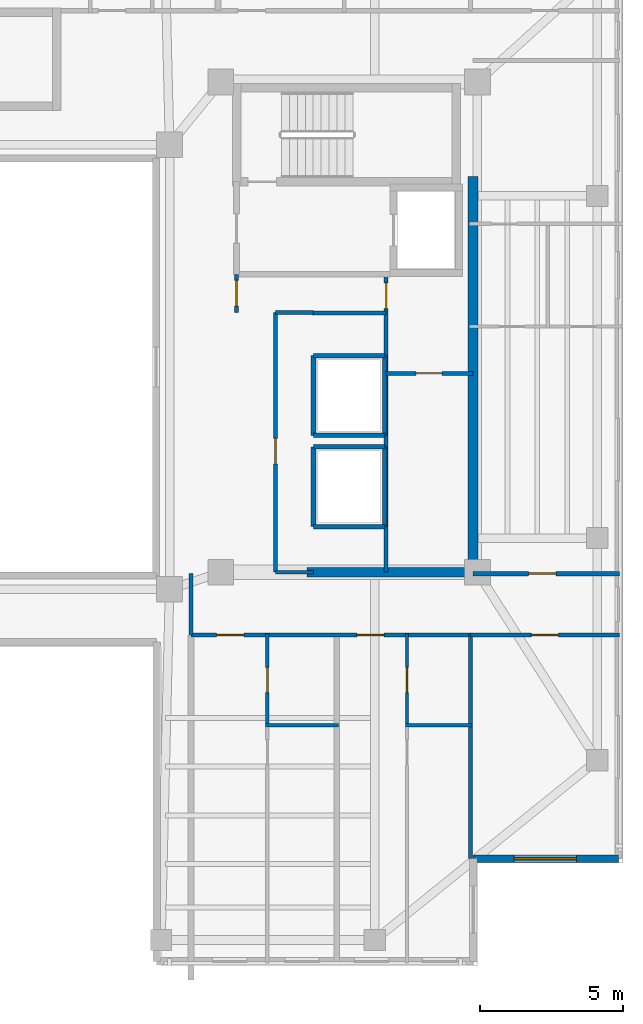
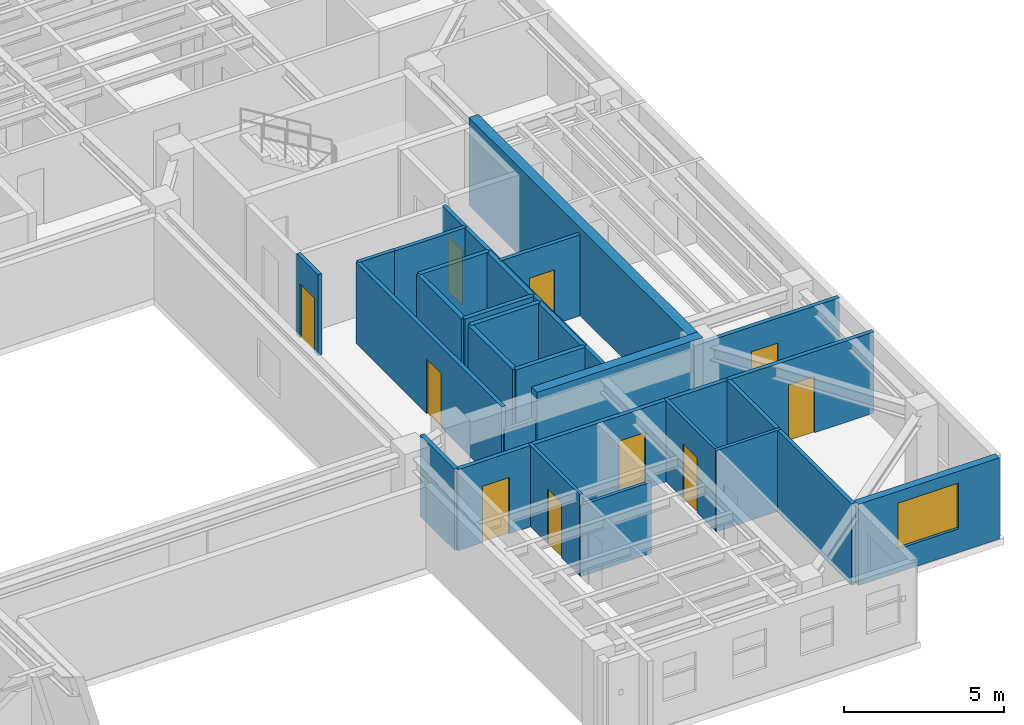
# One storey, part 6 of 12: 27 walls, 10 doors, 1 window, 11 openings.
"""IFC4 building model written with IfcOpenShell, lengths in metres."""

from ifc_helpers import new_model, si_unit, direction, frame, frame_2d, origin, place, context, subcontext, project, spatial, rectangle, extrude, material, layer, layer_set, type_object, element, fill, save


model = new_model("IFC4")

# Units and contexts
model_context = context("Model", 3, precision=1e-05, world=origin(), true_north=direction((0.0, 1.0)))
body_context = subcontext(model_context, "Body", "Model", "MODEL_VIEW")
ifc_project = project(units=[si_unit("LENGTHUNIT", "METRE"), si_unit("AREAUNIT", "SQUARE_METRE"), si_unit("VOLUMEUNIT", "CUBIC_METRE"), si_unit("PLANEANGLEUNIT", "RADIAN"), si_unit("MASSUNIT", "GRAM", prefix="KILO")], contexts=[model_context])

# Site, building, storey
site_placement = place(None, origin())
site = spatial("IfcSite", under=ifc_project, at=site_placement, CompositionType="ELEMENT")
building_placement = place(site_placement, origin())
building = spatial("IfcBuilding", under=site, at=building_placement, Name="Tarnavaz Court Tower", CompositionType="ELEMENT")
storey_placement = place(building_placement, frame((0.0, 0.0, 210.35009765625)))
storey = spatial("IfcBuildingStorey", under=building, at=storey_placement, Name="L57", CompositionType="ELEMENT", Elevation=210.35009765625)

# Walls
ifc_material_1 = material(Name="Concrete C50/60", Category="concrete")
ifc_layer_1 = layer(ifc_material_1, 0.35009765625)
ifc_layer_set_1 = layer_set([ifc_layer_1], Name="Concrete C50/60")
wall_type_1 = type_object("IfcWallType", Name="WL-CORE-350-C50", PredefinedType="SHEAR", material=ifc_layer_set_1)
wall_1_placement = place(storey_placement, frame((18.449951171875, -7.375, 0.0), z_axis=(0.0, 0.0, 1.0), x_axis=(0.0, 1.0, 0.0)))
element("IfcWall", 1, at=wall_1_placement, inside=storey, type_object=wall_type_1, Name="L57 East Core Shear Wall 047", PredefinedType="SHEAR", context=body_context, shape_type="SweptSolid", body=[
    extrude(rectangle(XDim=14.050048828125, YDim=0.35009765625, at=frame_2d((7.02490234375, 0.0))), origin(), (0.0, 0.0, 1.0), 3.349853515625),
])
wall_2_placement = place(storey_placement, frame((12.625, -7.199951171875, 0.0), z_axis=(0.0, 0.0, 1.0), x_axis=(1.0, 0.0, 0.0)))
element("IfcWall", 2, at=wall_2_placement, inside=storey, type_object=wall_type_1, Name="L57 East Core South Shear Wall 048", PredefinedType="SHEAR", context=body_context, shape_type="SweptSolid", body=[
    extrude(rectangle(XDim=6.0, YDim=0.35009765625, at=frame_2d((3.0, 0.0))), origin(), (0.0, 0.0, 1.0), 3.349853515625),
])

# Wall, opening, window
ifc_material_2 = material(Name="Precast Concrete C40/50", Category="concrete")
ifc_layer_2 = layer(ifc_material_2, 0.260009765625)
ifc_layer_set_2 = layer_set([ifc_layer_2], Name="Precast Concrete C40/50")
wall_type_2 = type_object("IfcWallType", Name="WL-EXT-260", PredefinedType="SOLIDWALL", material=ifc_layer_set_2)
wall_3_placement = place(storey_placement, frame((23.550048828125, -17.25, 0.0), z_axis=(0.0, 0.0, 1.0), x_axis=(-1.0, 0.0, 0.0)))
wall_3 = element("IfcWall", 3, at=wall_3_placement, inside=storey, type_object=wall_type_2, Name="L57 Exterior Terracotta Facade Wall 13", PredefinedType="SOLIDWALL", context=body_context, shape_type="SweptSolid", body=[
    extrude(rectangle(XDim=5.10009765625, YDim=0.260009765625, at=frame_2d((2.550048828125, 0.0))), origin(), (0.0, 0.0, 1.0), 3.099853515625),
])
opening_1_placement = place(wall_3_placement, frame((1.47509765625, 0.0, 0.89990234375)))
opening_1 = element("IfcOpeningElement", 4, at=opening_1_placement, cuts=wall_3, Name="Opening W07", PredefinedType="OPENING", context=body_context, shape_type="SweptSolid", body=[
    extrude(rectangle(XDim=2.199951171875, YDim=1.75, at=frame_2d((1.10009765625, 0.875))), frame((0.0, 0.139892578125, 0.0), z_axis=(0.0, -1.0, 0.0), x_axis=(1.0, 0.0, 0.0)), (0.0, 0.0, 1.0), 0.280029296875),
])
ifc_material_3 = material(Name="Double-Glazed Solar Low-E Glass", Category="glass")
window_type = type_object("IfcWindowType", Name="WN-APT-2200", PartitioningType="TRIPLE_PANEL_VERTICAL", PredefinedType="WINDOW", material=ifc_material_3)
window_placement = place(opening_1_placement, origin())
window = element("IfcWindow", 5, at=window_placement, inside=storey, type_object=window_type, Name="L57 South-East Corner Reading Room Window", OverallHeight=1.75, OverallWidth=2.199951171875, PartitioningType="SINGLE_PANEL", PredefinedType="WINDOW", context=body_context, shape_type="SweptSolid", body=[
    extrude(rectangle(XDim=2.199951171875, YDim=1.75, at=frame_2d((1.10009765625, 0.875))), frame((0.0, 0.030029296875, 0.0), z_axis=(0.0, -1.0, 0.0), x_axis=(1.0, 0.0, 0.0)), (0.0, 0.0, 1.0), 0.06005859375),
])
fill(opening_1, window)

# Wall, openings, doors
ifc_material_4 = material(Name="Gypsum Fire-Board on Acoustic Metal Stud", Category="masonry")
ifc_layer_3 = layer(ifc_material_4, 0.14990234375)
ifc_layer_set_3 = layer_set([ifc_layer_3], Name="Gypsum Fire-Board on Acoustic Metal Stud")
wall_type_3 = type_object("IfcWallType", Name="WL-FIRE-150", PredefinedType="PARTITIONING", material=ifc_layer_set_3)
wall_4_placement = place(storey_placement, frame((8.550048828125, -9.39990234375, 0.0), z_axis=(0.0, 0.0, 1.0), x_axis=(1.0, 0.0, 0.0)))
wall_4 = element("IfcWall", 6, at=wall_4_placement, inside=storey, type_object=wall_type_3, Name="L57 SE Lobby Wall 061", PredefinedType="PARTITIONING", context=body_context, shape_type="SweptSolid", body=[
    extrude(rectangle(XDim=9.800048828125, YDim=0.14990234375, at=frame_2d((4.89990234375, 0.0))), origin(), (0.0, 0.0, 1.0), 3.099853515625),
])
opening_2_placement = place(wall_4_placement, frame((0.89990234375, 0.0, 0.0)))
opening_2 = element("IfcOpeningElement", 7, at=opening_2_placement, cuts=wall_4, Name="Opening D06", PredefinedType="OPENING", context=body_context, shape_type="SweptSolid", body=[
    extrude(rectangle(XDim=0.9599609375, YDim=2.14990234375, at=frame_2d((0.47998046875, 1.074951171875))), frame((0.0, 0.0849609375, 0.0), z_axis=(0.0, -1.0, 0.0), x_axis=(1.0, 0.0, 0.0)), (0.0, 0.0, 1.0), 0.169921875),
])
opening_3_placement = place(wall_4_placement, frame((5.820068359375, 0.0, 0.0)))
opening_3 = element("IfcOpeningElement", 8, at=opening_3_placement, cuts=wall_4, Name="Opening D06", PredefinedType="OPENING", context=body_context, shape_type="SweptSolid", body=[
    extrude(rectangle(XDim=0.9599609375, YDim=2.14990234375, at=frame_2d((0.47998046875, 1.074951171875))), frame((0.0, 0.0849609375, 0.0), z_axis=(0.0, -1.0, 0.0), x_axis=(1.0, 0.0, 0.0)), (0.0, 0.0, 1.0), 0.169921875),
])
ifc_material_5 = material(Name="Fire-Rated Hardwood Timber Core", Category="wood")
door_type_1 = type_object("IfcDoorType", Name="DR-FD60-950", OperationType="NOTDEFINED", PredefinedType="DOOR", material=ifc_material_5)
door_1_placement = place(opening_2_placement, origin())
door_1 = element("IfcDoor", 9, at=door_1_placement, inside=storey, type_object=door_type_1, Name="L57 Flat 07 Entrance Door", OperationType="SINGLE_SWING_RIGHT", OverallHeight=2.14990234375, OverallWidth=0.9599609375, PredefinedType="DOOR", context=body_context, shape_type="SweptSolid", body=[
    extrude(rectangle(XDim=0.9599609375, YDim=2.14990234375, at=frame_2d((0.47998046875, 1.074951171875))), frame((0.0, 0.02490234375, 0.0), z_axis=(0.0, -1.0, 0.0), x_axis=(1.0, 0.0, 0.0)), (0.0, 0.0, 1.0), 0.050048828125),
])
fill(opening_2, door_1)
door_2_placement = place(opening_3_placement, origin())
door_2 = element("IfcDoor", 10, at=door_2_placement, inside=storey, type_object=door_type_1, Name="L57 Flat 08 Entrance Door", OperationType="SINGLE_SWING_LEFT", OverallHeight=2.14990234375, OverallWidth=0.9599609375, PredefinedType="DOOR", context=body_context, shape_type="SweptSolid", body=[
    extrude(rectangle(XDim=0.9599609375, YDim=2.14990234375, at=frame_2d((0.47998046875, 1.074951171875))), frame((0.0, 0.02490234375, 0.0), z_axis=(0.0, -1.0, 0.0), x_axis=(1.0, 0.0, 0.0)), (0.0, 0.0, 1.0), 0.050048828125),
])
fill(opening_3, door_2)

# Wall
wall_5_placement = place(storey_placement, frame((8.550048828125, -9.39990234375, 0.0), z_axis=(0.0, 0.0, 1.0), x_axis=(0.0, 1.0, 0.0)))
element("IfcWall", 11, at=wall_5_placement, inside=storey, type_object=wall_type_3, Name="L57 East Spine End Wall 063", PredefinedType="PARTITIONING", context=body_context, shape_type="SweptSolid", body=[
    extrude(rectangle(XDim=2.14990234375, YDim=0.14990234375, at=frame_2d((1.074951171875, 0.0))), origin(), (0.0, 0.0, 1.0), 3.099853515625),
])

# Wall, opening, door
wall_6_placement = place(storey_placement, frame((18.449951171875, -7.25, 0.0), z_axis=(0.0, 0.0, 1.0), x_axis=(1.0, 0.0, 0.0)))
wall_6 = element("IfcWall", 12, at=wall_6_placement, inside=storey, type_object=wall_type_3, Name="L57 Interior Partition 101", PredefinedType="PARTITIONING", context=body_context, shape_type="SweptSolid", body=[
    extrude(rectangle(XDim=5.130126953125, YDim=0.14990234375, at=frame_2d((2.56494140625, 0.0))), origin(), (0.0, 0.0, 1.0), 3.099853515625),
])
opening_4_placement = place(wall_6_placement, frame((1.949951171875, 0.0, 0.0)))
opening_4 = element("IfcOpeningElement", 13, at=opening_4_placement, cuts=wall_6, Name="Opening D06", PredefinedType="OPENING", context=body_context, shape_type="SweptSolid", body=[
    extrude(rectangle(XDim=0.9599609375, YDim=2.14990234375, at=frame_2d((0.47998046875, 1.074951171875))), frame((0.0, 0.0849609375, 0.0), z_axis=(0.0, -1.0, 0.0), x_axis=(1.0, 0.0, 0.0)), (0.0, 0.0, 1.0), 0.169921875),
])
door_3_placement = place(opening_4_placement, origin())
door_3 = element("IfcDoor", 14, at=door_3_placement, inside=storey, type_object=door_type_1, Name="L57 Flat 10 Entrance Door", OperationType="SINGLE_SWING_RIGHT", OverallHeight=2.14990234375, OverallWidth=0.9599609375, PredefinedType="DOOR", context=body_context, shape_type="SweptSolid", body=[
    extrude(rectangle(XDim=0.9599609375, YDim=2.14990234375, at=frame_2d((0.47998046875, 1.074951171875))), frame((0.0, 0.02490234375, 0.0), z_axis=(0.0, -1.0, 0.0), x_axis=(1.0, 0.0, 0.0)), (0.0, 0.0, 1.0), 0.050048828125),
])
fill(opening_4, door_3)

wall_7_placement = place(storey_placement, frame((18.35009765625, -9.39990234375, 0.0), z_axis=(0.0, 0.0, 1.0), x_axis=(1.0, 0.0, 0.0)))
wall_7 = element("IfcWall", 15, at=wall_7_placement, inside=storey, type_object=wall_type_3, Name="L57 Interior Partition 110", PredefinedType="PARTITIONING", context=body_context, shape_type="SweptSolid", body=[
    extrude(rectangle(XDim=5.22998046875, YDim=0.14990234375, at=frame_2d((2.614990234375, 0.0))), origin(), (0.0, 0.0, 1.0), 3.099853515625),
])
opening_5_placement = place(wall_7_placement, frame((2.139892578125, 0.0, 0.0)))
opening_5 = element("IfcOpeningElement", 16, at=opening_5_placement, cuts=wall_7, Name="Opening D13", PredefinedType="OPENING", context=body_context, shape_type="SweptSolid", body=[
    extrude(rectangle(XDim=0.949951171875, YDim=2.14990234375, at=frame_2d((0.47509765625, 1.074951171875))), frame((0.0, 0.0849609375, 0.0), z_axis=(0.0, -1.0, 0.0), x_axis=(1.0, 0.0, 0.0)), (0.0, 0.0, 1.0), 0.169921875),
])
ifc_material_6 = material(Name="Engineered Oak Timber", Category="wood")
door_type_2 = type_object("IfcDoorType", Name="DR-INT-950", OperationType="NOTDEFINED", PredefinedType="DOOR", material=ifc_material_6)
door_4_placement = place(opening_5_placement, origin())
door_4 = element("IfcDoor", 17, at=door_4_placement, inside=storey, type_object=door_type_2, Name="L57 SE Reading Room Door", OperationType="SINGLE_SWING_LEFT", OverallHeight=2.14990234375, OverallWidth=0.949951171875, PredefinedType="DOOR", context=body_context, shape_type="SweptSolid", body=[
    extrude(rectangle(XDim=0.949951171875, YDim=2.14990234375, at=frame_2d((0.47509765625, 1.074951171875))), frame((0.0, 0.02490234375, 0.0), z_axis=(0.0, -1.0, 0.0), x_axis=(1.0, 0.0, 0.0)), (0.0, 0.0, 1.0), 0.050048828125),
])
fill(opening_5, door_4)

ifc_material_7 = material(Name="Moisture-Resistant Gypsum Board Partition", Category="masonry")
ifc_layer_4 = layer(ifc_material_7, 0.1201171875)
ifc_layer_set_4 = layer_set([ifc_layer_4], Name="Moisture-Resistant Gypsum Board Partition")
wall_type_4 = type_object("IfcWallType", Name="WL-PART-120", PredefinedType="PARTITIONING", material=ifc_layer_set_4)
wall_8_placement = place(storey_placement, frame((11.23388671875, -12.56005859375, 0.0), z_axis=(0.0, 0.0, 1.0), x_axis=(0.0, 1.0, 0.0)))
wall_8 = element("IfcWall", 18, at=wall_8_placement, inside=storey, type_object=wall_type_4, Name="L57 Interior Partition 092", PredefinedType="PARTITIONING", context=body_context, shape_type="SweptSolid", body=[
    extrude(rectangle(XDim=3.219970703125, YDim=0.1201171875, at=frame_2d((1.60986328125, 0.0))), origin(), (0.0, 0.0, 1.0), 3.099853515625),
])
opening_6_placement = place(wall_8_placement, frame((1.139892578125, 0.0, 0.0)))
opening_6 = element("IfcOpeningElement", 19, at=opening_6_placement, cuts=wall_8, Name="Opening D14", PredefinedType="OPENING", context=body_context, shape_type="SweptSolid", body=[
    extrude(rectangle(XDim=0.8798828125, YDim=2.10009765625, at=frame_2d((0.43994140625, 1.050048828125))), frame((0.0, 0.070068359375, 0.0), z_axis=(0.0, -1.0, 0.0), x_axis=(1.0, 0.0, 0.0)), (0.0, 0.0, 1.0), 0.14013671875),
])
door_type_3 = type_object("IfcDoorType", Name="DR-INT-900", OperationType="NOTDEFINED", PredefinedType="DOOR", material=ifc_material_6)
door_5_placement = place(opening_6_placement, origin())
door_5 = element("IfcDoor", 20, at=door_5_placement, inside=storey, type_object=door_type_3, Name="L57 Flat 07 Bathroom Door", OperationType="SINGLE_SWING_RIGHT", OverallHeight=2.10009765625, OverallWidth=0.8798828125, PredefinedType="DOOR", context=body_context, shape_type="SweptSolid", body=[
    extrude(rectangle(XDim=0.8798828125, YDim=2.10009765625, at=frame_2d((0.43994140625, 1.050048828125))), frame((0.0, 0.02490234375, 0.0), z_axis=(0.0, -1.0, 0.0), x_axis=(1.0, 0.0, 0.0)), (0.0, 0.0, 1.0), 0.050048828125),
])
fill(opening_6, door_5)

# Wall
wall_9_placement = place(storey_placement, frame((11.174072265625, -12.56005859375, 0.0), z_axis=(0.0, 0.0, 1.0), x_axis=(1.0, 0.0, 0.0)))
element("IfcWall", 21, at=wall_9_placement, inside=storey, type_object=wall_type_4, Name="L57 Interior Partition 093", PredefinedType="PARTITIONING", context=body_context, shape_type="SweptSolid", body=[
    extrude(rectangle(XDim=2.555908203125, YDim=0.1201171875, at=frame_2d((1.27783203125, 0.0))), origin(), (0.0, 0.0, 1.0), 2.724853515625),
])

# Wall, opening, door
wall_10_placement = place(storey_placement, frame((16.1298828125, -12.56005859375, 0.0), z_axis=(0.0, 0.0, 1.0), x_axis=(0.0, 1.0, 0.0)))
wall_10 = element("IfcWall", 22, at=wall_10_placement, inside=storey, type_object=wall_type_4, Name="L57 Interior Partition 095", PredefinedType="PARTITIONING", context=body_context, shape_type="SweptSolid", body=[
    extrude(rectangle(XDim=3.219970703125, YDim=0.1201171875, at=frame_2d((1.60986328125, 0.0))), origin(), (0.0, 0.0, 1.0), 3.099853515625),
])
opening_7_placement = place(wall_10_placement, frame((1.139892578125, 0.0, 0.0)))
opening_7 = element("IfcOpeningElement", 23, at=opening_7_placement, cuts=wall_10, Name="Opening D14", PredefinedType="OPENING", context=body_context, shape_type="SweptSolid", body=[
    extrude(rectangle(XDim=0.8798828125, YDim=2.10009765625, at=frame_2d((0.43994140625, 1.050048828125))), frame((0.0, 0.070068359375, 0.0), z_axis=(0.0, -1.0, 0.0), x_axis=(1.0, 0.0, 0.0)), (0.0, 0.0, 1.0), 0.14013671875),
])
door_6_placement = place(opening_7_placement, origin())
door_6 = element("IfcDoor", 24, at=door_6_placement, inside=storey, type_object=door_type_3, Name="L57 Flat 08 Bathroom Door", OperationType="SINGLE_SWING_LEFT", OverallHeight=2.10009765625, OverallWidth=0.8798828125, PredefinedType="DOOR", context=body_context, shape_type="SweptSolid", body=[
    extrude(rectangle(XDim=0.8798828125, YDim=2.10009765625, at=frame_2d((0.43994140625, 1.050048828125))), frame((0.0, 0.02490234375, 0.0), z_axis=(0.0, -1.0, 0.0), x_axis=(1.0, 0.0, 0.0)), (0.0, 0.0, 1.0), 0.050048828125),
])
fill(opening_7, door_6)

# Walls
wall_11_placement = place(storey_placement, frame((16.070068359375, -12.56005859375, 0.0), z_axis=(0.0, 0.0, 1.0), x_axis=(1.0, 0.0, 0.0)))
element("IfcWall", 25, at=wall_11_placement, inside=storey, type_object=wall_type_4, Name="L57 Interior Partition 096", PredefinedType="PARTITIONING", context=body_context, shape_type="SweptSolid", body=[
    extrude(rectangle(XDim=2.33984375, YDim=0.1201171875, at=frame_2d((1.169921875, 0.0))), origin(), (0.0, 0.0, 1.0), 3.099853515625),
])
ifc_material_8 = material(Name="Gypsum Plasterboard Acoustic Partition", Category="masonry")
ifc_layer_5 = layer(ifc_material_8, 0.139892578125)
ifc_layer_set_5 = layer_set([ifc_layer_5], Name="Gypsum Plasterboard Acoustic Partition")
wall_type_5 = type_object("IfcWallType", Name="WL-PART-150", PredefinedType="PARTITIONING", material=ifc_layer_set_5)
wall_12_placement = place(storey_placement, frame((12.800048828125, 1.89990234375, 0.0), z_axis=(0.0, 0.0, 1.0), x_axis=(1.0, 0.0, 0.0)))
element("IfcWall", 26, at=wall_12_placement, inside=storey, type_object=wall_type_5, Name="L57 Interior Partition 051", PredefinedType="PARTITIONING", context=body_context, shape_type="SweptSolid", body=[
    extrude(rectangle(XDim=2.599853515625, YDim=0.139892578125, at=frame_2d((1.2998046875, 0.0))), origin(), (0.0, 0.0, 1.0), 3.099853515625),
])

# Wall, opening, door
wall_13_placement = place(storey_placement, frame((10.14990234375, 1.919921875, 0.0), z_axis=(0.0, 0.0, 1.0), x_axis=(0.0, 1.0, 0.0)))
wall_13 = element("IfcWall", 27, at=wall_13_placement, inside=storey, type_object=wall_type_5, Name="L57 Interior Partition 052", PredefinedType="PARTITIONING", context=body_context, shape_type="SweptSolid", body=[
    extrude(rectangle(XDim=1.330078125, YDim=0.139892578125, at=frame_2d((0.6650390625, 0.0))), origin(), (0.0, 0.0, 1.0), 3.099853515625),
])
opening_8_placement = place(wall_13_placement, frame((0.219970703125, 0.0, 0.0)))
opening_8 = element("IfcOpeningElement", 28, at=opening_8_placement, cuts=wall_13, Name="Opening D09", PredefinedType="OPENING", context=body_context, shape_type="SweptSolid", body=[
    extrude(rectangle(XDim=0.89990234375, YDim=2.080078125, at=frame_2d((0.449951171875, 1.0400390625))), frame((0.0, 0.079833984375, 0.0), z_axis=(0.0, -1.0, 0.0), x_axis=(1.0, 0.0, 0.0)), (0.0, 0.0, 1.0), 0.159912109375),
])
door_type_4 = type_object("IfcDoorType", Name="DR-FD30-900", OperationType="NOTDEFINED", PredefinedType="DOOR", material=ifc_material_5)
door_7_placement = place(opening_8_placement, origin())
door_7 = element("IfcDoor", 29, at=door_7_placement, inside=storey, type_object=door_type_4, Name="L57 East Core Service Lobby Door", OperationType="SINGLE_SWING_RIGHT", OverallHeight=2.080078125, OverallWidth=0.89990234375, PredefinedType="DOOR", context=body_context, shape_type="SweptSolid", body=[
    extrude(rectangle(XDim=0.89990234375, YDim=2.080078125, at=frame_2d((0.449951171875, 1.0400390625))), frame((0.0, 0.02490234375, 0.0), z_axis=(0.0, -1.0, 0.0), x_axis=(1.0, 0.0, 0.0)), (0.0, 0.0, 1.0), 0.050048828125),
])
fill(opening_8, door_7)

wall_14_placement = place(storey_placement, frame((15.39990234375, -7.199951171875, 0.0), z_axis=(0.0, 0.0, 1.0), x_axis=(0.0, 1.0, 0.0)))
wall_14 = element("IfcWall", 30, at=wall_14_placement, inside=storey, type_object=wall_type_5, Name="L57 Interior Partition 053", PredefinedType="PARTITIONING", context=body_context, shape_type="SweptSolid", body=[
    extrude(rectangle(XDim=10.449951171875, YDim=0.139892578125, at=frame_2d((5.22509765625, 0.0))), origin(), (0.0, 0.0, 1.0), 3.099853515625),
])
opening_9_placement = place(wall_14_placement, frame((9.25, 0.0, 0.0)))
opening_9 = element("IfcOpeningElement", 31, at=opening_9_placement, cuts=wall_14, Name="Opening D09", PredefinedType="OPENING", context=body_context, shape_type="SweptSolid", body=[
    extrude(rectangle(XDim=0.89990234375, YDim=2.080078125, at=frame_2d((0.449951171875, 1.0400390625))), frame((0.0, 0.079833984375, 0.0), z_axis=(0.0, -1.0, 0.0), x_axis=(1.0, 0.0, 0.0)), (0.0, 0.0, 1.0), 0.159912109375),
])
door_8_placement = place(opening_9_placement, origin())
door_8 = element("IfcDoor", 32, at=door_8_placement, inside=storey, type_object=door_type_4, Name="L57 East Wet Riser Door", OperationType="SINGLE_SWING_LEFT", OverallHeight=2.080078125, OverallWidth=0.89990234375, PredefinedType="DOOR", context=body_context, shape_type="SweptSolid", body=[
    extrude(rectangle(XDim=0.89990234375, YDim=2.080078125, at=frame_2d((0.449951171875, 1.0400390625))), frame((0.0, 0.02490234375, 0.0), z_axis=(0.0, -1.0, 0.0), x_axis=(1.0, 0.0, 0.0)), (0.0, 0.0, 1.0), 0.050048828125),
])
fill(opening_9, door_8)

wall_15_placement = place(storey_placement, frame((15.39990234375, -0.219970703125, 0.0), z_axis=(0.0, 0.0, 1.0), x_axis=(1.0, 0.0, 0.0)))
wall_15 = element("IfcWall", 33, at=wall_15_placement, inside=storey, type_object=wall_type_5, Name="L57 Interior Partition 054", PredefinedType="PARTITIONING", context=body_context, shape_type="SweptSolid", body=[
    extrude(rectangle(XDim=3.050048828125, YDim=0.139892578125, at=frame_2d((1.52490234375, 0.0))), origin(), (0.0, 0.0, 1.0), 3.099853515625),
])
opening_10_placement = place(wall_15_placement, frame((1.050048828125, 0.0, 0.0)))
opening_10 = element("IfcOpeningElement", 34, at=opening_10_placement, cuts=wall_15, Name="Opening D09", PredefinedType="OPENING", context=body_context, shape_type="SweptSolid", body=[
    extrude(rectangle(XDim=0.89990234375, YDim=2.080078125, at=frame_2d((0.449951171875, 1.0400390625))), frame((0.0, 0.079833984375, 0.0), z_axis=(0.0, -1.0, 0.0), x_axis=(1.0, 0.0, 0.0)), (0.0, 0.0, 1.0), 0.159912109375),
])
door_9_placement = place(opening_10_placement, origin())
door_9 = element("IfcDoor", 35, at=door_9_placement, inside=storey, type_object=door_type_4, Name="L57 East Electrical Plant Door", OperationType="SINGLE_SWING_RIGHT", OverallHeight=2.080078125, OverallWidth=0.89990234375, PredefinedType="DOOR", context=body_context, shape_type="SweptSolid", body=[
    extrude(rectangle(XDim=0.89990234375, YDim=2.080078125, at=frame_2d((0.449951171875, 1.0400390625))), frame((0.0, 0.02490234375, 0.0), z_axis=(0.0, -1.0, 0.0), x_axis=(1.0, 0.0, 0.0)), (0.0, 0.0, 1.0), 0.050048828125),
])
fill(opening_10, door_9)

wall_16_placement = place(storey_placement, frame((11.52001953125, -7.199951171875, 0.0), z_axis=(0.0, 0.0, 1.0), x_axis=(0.0, 1.0, 0.0)))
wall_16 = element("IfcWall", 36, at=wall_16_placement, inside=storey, type_object=wall_type_5, Name="L57 Interior Partition 055", PredefinedType="PARTITIONING", context=body_context, shape_type="SweptSolid", body=[
    extrude(rectangle(XDim=9.119873046875, YDim=0.139892578125, at=frame_2d((4.56005859375, 0.0))), origin(), (0.0, 0.0, 1.0), 3.099853515625),
])
opening_11_placement = place(wall_16_placement, frame((3.800048828125, 0.0, 0.0)))
opening_11 = element("IfcOpeningElement", 37, at=opening_11_placement, cuts=wall_16, Name="Opening D09", PredefinedType="OPENING", context=body_context, shape_type="SweptSolid", body=[
    extrude(rectangle(XDim=0.89990234375, YDim=2.080078125, at=frame_2d((0.449951171875, 1.0400390625))), frame((0.0, 0.079833984375, 0.0), z_axis=(0.0, -1.0, 0.0), x_axis=(1.0, 0.0, 0.0)), (0.0, 0.0, 1.0), 0.159912109375),
])
door_10_placement = place(opening_11_placement, origin())
door_10 = element("IfcDoor", 38, at=door_10_placement, inside=storey, type_object=door_type_4, Name="L57 East Sky Core Store Door", OperationType="SINGLE_SWING_LEFT", OverallHeight=2.080078125, OverallWidth=0.89990234375, PredefinedType="DOOR", context=body_context, shape_type="SweptSolid", body=[
    extrude(rectangle(XDim=0.89990234375, YDim=2.080078125, at=frame_2d((0.449951171875, 1.0400390625))), frame((0.0, 0.02490234375, 0.0), z_axis=(0.0, -1.0, 0.0), x_axis=(1.0, 0.0, 0.0)), (0.0, 0.0, 1.0), 0.050048828125),
])
fill(opening_11, door_10)

# Walls
wall_17_placement = place(storey_placement, frame((11.52001953125, 1.919921875, 0.0), z_axis=(0.0, 0.0, 1.0), x_axis=(1.0, 0.0, 0.0)))
element("IfcWall", 39, at=wall_17_placement, inside=storey, type_object=wall_type_5, Name="L57 Interior Partition 056", PredefinedType="PARTITIONING", context=body_context, shape_type="SweptSolid", body=[
    extrude(rectangle(XDim=1.330078125, YDim=0.139892578125, at=frame_2d((0.6650390625, 0.0))), origin(), (0.0, 0.0, 1.0), 3.099853515625),
])
wall_18_placement = place(storey_placement, frame((11.52001953125, -7.199951171875, 0.0), z_axis=(0.0, 0.0, 1.0), x_axis=(1.0, 0.0, 0.0)))
element("IfcWall", 40, at=wall_18_placement, inside=storey, type_object=wall_type_5, Name="L57 Interior Partition 057", PredefinedType="PARTITIONING", context=body_context, shape_type="SweptSolid", body=[
    extrude(rectangle(XDim=1.330078125, YDim=0.139892578125, at=frame_2d((0.6650390625, 0.0))), origin(), (0.0, 0.0, 1.0), 2.23486328125),
])
wall_19_placement = place(storey_placement, frame((18.35009765625, -17.25, 0.0), z_axis=(0.0, 0.0, 1.0), x_axis=(0.0, 1.0, 0.0)))
element("IfcWall", 41, at=wall_19_placement, inside=storey, type_object=wall_type_5, Name="L57 Interior Partition 104", PredefinedType="PARTITIONING", context=body_context, shape_type="SweptSolid", body=[
    extrude(rectangle(XDim=7.85009765625, YDim=0.139892578125, at=frame_2d((3.925048828125, 0.0))), origin(), (0.0, 0.0, 1.0), 3.099853515625),
])
ifc_material_9 = material(Name="Autoclaved Aerated Concrete Blockwork", Category="masonry")
ifc_layer_6 = layer(ifc_material_9, 0.159912109375)
ifc_layer_set_6 = layer_set([ifc_layer_6], Name="Autoclaved Aerated Concrete Blockwork")
wall_type_6 = type_object("IfcWallType", Name="WL-SHAFT-150", PredefinedType="SOLIDWALL", material=ifc_layer_set_6)
for number, where, z_axis, x_axis, name in (
    (42, (12.85009765625, -5.60009765625, 0.0), (0.0, 0.0, 1.0), (0.0, 1.0, 0.0), "L57 Lift PL-OB1 Shaft Wall 037"),
    (43, (15.35009765625, -5.60009765625, 0.0), (0.0, 0.0, 1.0), (0.0, 1.0, 0.0), "L57 Lift PL-OB1 Shaft Wall 038"),
):
    element("IfcWall", number, at=place(storey_placement, frame(where, z_axis=z_axis, x_axis=x_axis)), inside=storey, type_object=wall_type_6, Name=name, PredefinedType="SOLIDWALL", context=body_context, shape_type="SweptSolid", body=[
        extrude(rectangle(XDim=2.800048828125, YDim=0.159912109375, at=frame_2d((1.39990234375, 0.0))), origin(), (0.0, 0.0, 1.0), 3.099853515625),
    ])
for number, where, z_axis, x_axis, name in (
    (44, (12.85009765625, -5.60009765625, 0.0), (0.0, 0.0, 1.0), (1.0, 0.0, 0.0), "L57 Lift PL-OB1 Shaft Wall 039"),
    (45, (12.85009765625, -2.800048828125, 0.0), (0.0, 0.0, 1.0), (1.0, 0.0, 0.0), "L57 Lift PL-OB1 Shaft Wall 040"),
):
    element("IfcWall", number, at=place(storey_placement, frame(where, z_axis=z_axis, x_axis=x_axis)), inside=storey, type_object=wall_type_6, Name=name, PredefinedType="SOLIDWALL", context=body_context, shape_type="SweptSolid", body=[
        extrude(rectangle(XDim=2.5, YDim=0.159912109375, at=frame_2d((1.25, 0.0))), origin(), (0.0, 0.0, 1.0), 3.099853515625),
    ])
for number, where, z_axis, x_axis, name in (
    (46, (12.85009765625, -2.39990234375, 0.0), (0.0, 0.0, 1.0), (0.0, 1.0, 0.0), "L57 Lift PL-OB2 Shaft Wall 041"),
    (47, (15.35009765625, -2.39990234375, 0.0), (0.0, 0.0, 1.0), (0.0, 1.0, 0.0), "L57 Lift PL-OB2 Shaft Wall 042"),
):
    element("IfcWall", number, at=place(storey_placement, frame(where, z_axis=z_axis, x_axis=x_axis)), inside=storey, type_object=wall_type_6, Name=name, PredefinedType="SOLIDWALL", context=body_context, shape_type="SweptSolid", body=[
        extrude(rectangle(XDim=2.7998046875, YDim=0.159912109375, at=frame_2d((1.39990234375, 0.0))), origin(), (0.0, 0.0, 1.0), 3.099853515625),
    ])
for number, where, z_axis, x_axis, name in (
    (48, (12.85009765625, -2.39990234375, 0.0), (0.0, 0.0, 1.0), (1.0, 0.0, 0.0), "L57 Lift PL-OB2 Shaft Wall 043"),
    (49, (12.85009765625, 0.39990234375, 0.0), (0.0, 0.0, 1.0), (1.0, 0.0, 0.0), "L57 Lift PL-OB2 Shaft Wall 044"),
):
    element("IfcWall", number, at=place(storey_placement, frame(where, z_axis=z_axis, x_axis=x_axis)), inside=storey, type_object=wall_type_6, Name=name, PredefinedType="SOLIDWALL", context=body_context, shape_type="SweptSolid", body=[
        extrude(rectangle(XDim=2.5, YDim=0.159912109375, at=frame_2d((1.25, 0.0))), origin(), (0.0, 0.0, 1.0), 3.099853515625),
    ])

save(model, "model.ifc")
